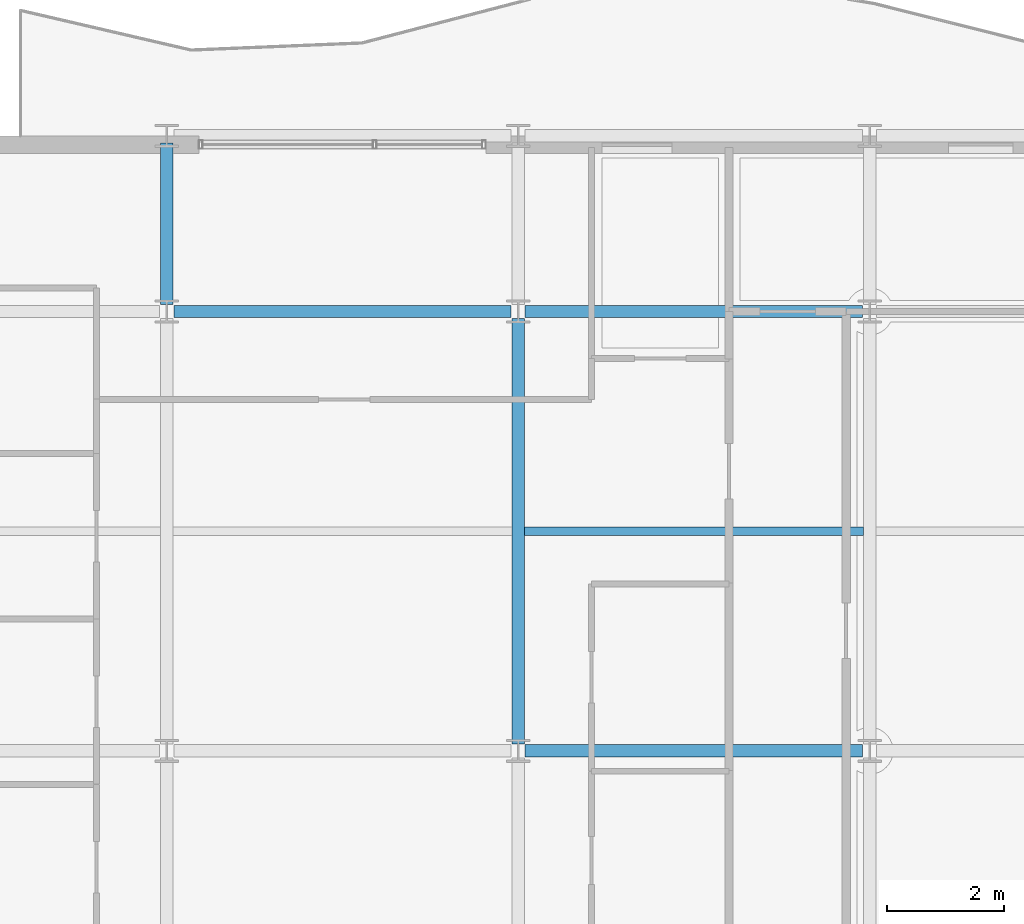
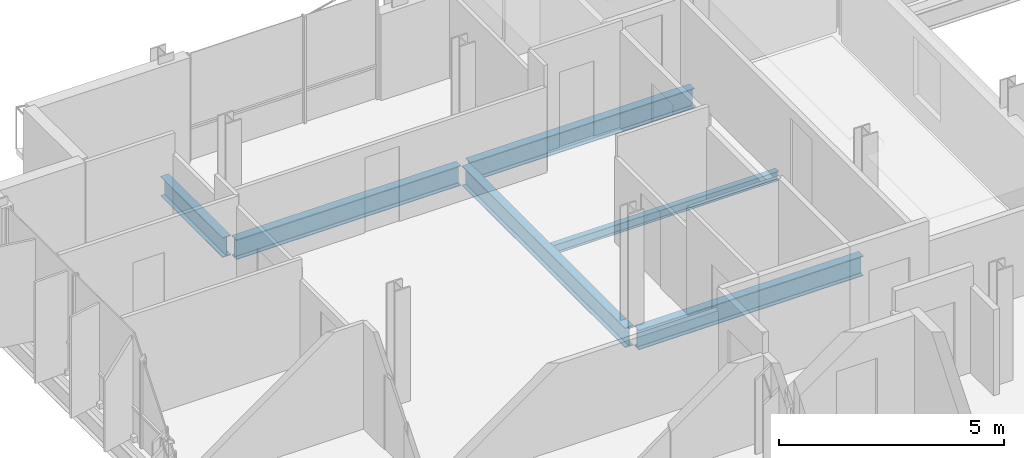
# One storey, part 7 of 38: 6 beams.
"""IFC4 building model written with IfcOpenShell, lengths in metres."""

from ifc_helpers import new_model, si_unit, direction, frame, origin, origin_2d, place, context, subcontext, project, spatial, i_section, extrude, material, material_profile, profile_set, type_object, element, save


model = new_model("IFC4")

# Units and contexts
model_context = context("Model", 3, precision=1e-05, world=origin(), true_north=direction((0.0, 1.0)))
body_context = subcontext(model_context, "Body", "Model", "MODEL_VIEW")
ifc_project = project(units=[si_unit("LENGTHUNIT", "METRE"), si_unit("AREAUNIT", "SQUARE_METRE"), si_unit("VOLUMEUNIT", "CUBIC_METRE"), si_unit("PLANEANGLEUNIT", "RADIAN"), si_unit("MASSUNIT", "GRAM", prefix="KILO")], contexts=[model_context])

# Site, building, storey
site_placement = place(None, origin())
site = spatial("IfcSite", under=ifc_project, at=site_placement, CompositionType="ELEMENT")
building_placement = place(site_placement, origin())
building = spatial("IfcBuilding", under=site, at=building_placement, Name="Brevholm Reach", CompositionType="ELEMENT")
storey_placement = place(building_placement, frame((0.0, 0.0, 186.300048828125)))
storey = spatial("IfcBuildingStorey", under=building, at=storey_placement, Name="L56", CompositionType="ELEMENT", Elevation=186.300048828125)

# Beams
ifc_material_1 = material(Name="Structural Steel S355J2", Category="steel")
ifc_material_profile_1 = material_profile(ifc_material_1, i_section(OverallWidth=0.14599609375, OverallDepth=0.25146484375, WebThickness=0.006103515625, FlangeThickness=0.008544921875, FilletRadius=0.007568359375, at=origin_2d()), Name="UKB 254x146x31")
ifc_profile_set_1 = profile_set([ifc_material_profile_1], Name="Structural Steel S355J2")
beam_type_1 = type_object("IfcBeamType", Name="BM-B254", PredefinedType="BEAM", material=ifc_profile_set_1)
beam_1_placement = place(storey_placement, frame((12.10546875, 19.75, -0.335693359375), z_axis=(1.0, 0.0, 0.0), x_axis=(0.0, 1.0, 0.0)))
element("IfcBeam", 1, at=beam_1_placement, inside=storey, type_object=beam_type_1, Name="L56 Composite Secondary Floor Beam", PredefinedType="BEAM", context=body_context, shape_type="SweptSolid", body=[
    extrude(i_section(OverallWidth=0.14599609375, OverallDepth=0.25146484375, WebThickness=0.006103515625, FlangeThickness=0.008544921875, FilletRadius=0.007568359375, at=origin_2d()), origin(), (0.0, 0.0, 1.0), 5.7890625),
])
ifc_material_2 = material(Name="Structural Steel S355J2", Category="steel")
ifc_material_profile_2 = material_profile(ifc_material_2, i_section(OverallWidth=0.210693359375, OverallDepth=0.53955078125, WebThickness=0.01171875, FlangeThickness=0.018798828125, FilletRadius=0.0126953125, at=origin_2d()), Name="UKB 533x210x109")
ifc_profile_set_2 = profile_set([ifc_material_profile_2], Name="Structural Steel S355J2")
beam_type_2 = type_object("IfcBeamType", Name="BM-SP539", PredefinedType="SPANDREL", material=ifc_profile_set_2)
for number, where, z_axis, x_axis, name in (
    (2, (12.1201171875, 16.0, -0.479736328125), (1.0, 0.0, 0.0), (0.0, 1.0, 0.0), "L56 SP-01B Framing Beam"),
    (3, (6.1201171875, 23.5, -0.479736328125), (1.0, 0.0, 0.0), (0.0, 1.0, 0.0), "L56 SP-01B Framing Beam"),
    (4, (12.1201171875, 23.5, -0.479736328125), (1.0, 0.0, 0.0), (0.0, 1.0, 0.0), "L56 SP-01B Framing Beam"),
):
    element("IfcBeam", number, at=place(storey_placement, frame(where, z_axis=z_axis, x_axis=x_axis)), inside=storey, type_object=beam_type_2, Name=name, PredefinedType="SPANDREL", context=body_context, shape_type="SweptSolid", body=[
        extrude(i_section(OverallWidth=0.210693359375, OverallDepth=0.53955078125, WebThickness=0.01171875, FlangeThickness=0.018798828125, FilletRadius=0.0126953125, at=origin_2d()), origin(), (0.0, 0.0, 1.0), 5.759765625),
    ])
beam_2_placement = place(storey_placement, frame((6.0, 23.6201171875, -0.479736328125), z_axis=(0.0, 1.0, 0.0), x_axis=(-1.0, 0.0, 0.0)))
element("IfcBeam", 5, at=beam_2_placement, inside=storey, type_object=beam_type_2, Name="L56 SP-01B Framing Beam", PredefinedType="SPANDREL", context=body_context, shape_type="SweptSolid", body=[
    extrude(i_section(OverallWidth=0.210693359375, OverallDepth=0.53955078125, WebThickness=0.01171875, FlangeThickness=0.018798828125, FilletRadius=0.0126953125, at=origin_2d()), origin(), (0.0, 0.0, 1.0), 2.759765625),
])
beam_3_placement = place(storey_placement, frame((12.0, 16.1201171875, -0.479736328125), z_axis=(0.0, 1.0, 0.0), x_axis=(-1.0, 0.0, 0.0)))
element("IfcBeam", 6, at=beam_3_placement, inside=storey, type_object=beam_type_2, Name="L56 SP-01B Framing Beam", PredefinedType="SPANDREL", context=body_context, shape_type="SweptSolid", body=[
    extrude(i_section(OverallWidth=0.210693359375, OverallDepth=0.53955078125, WebThickness=0.01171875, FlangeThickness=0.018798828125, FilletRadius=0.0126953125, at=origin_2d()), origin(), (0.0, 0.0, 1.0), 7.259765625),
])

save(model, "model.ifc")
